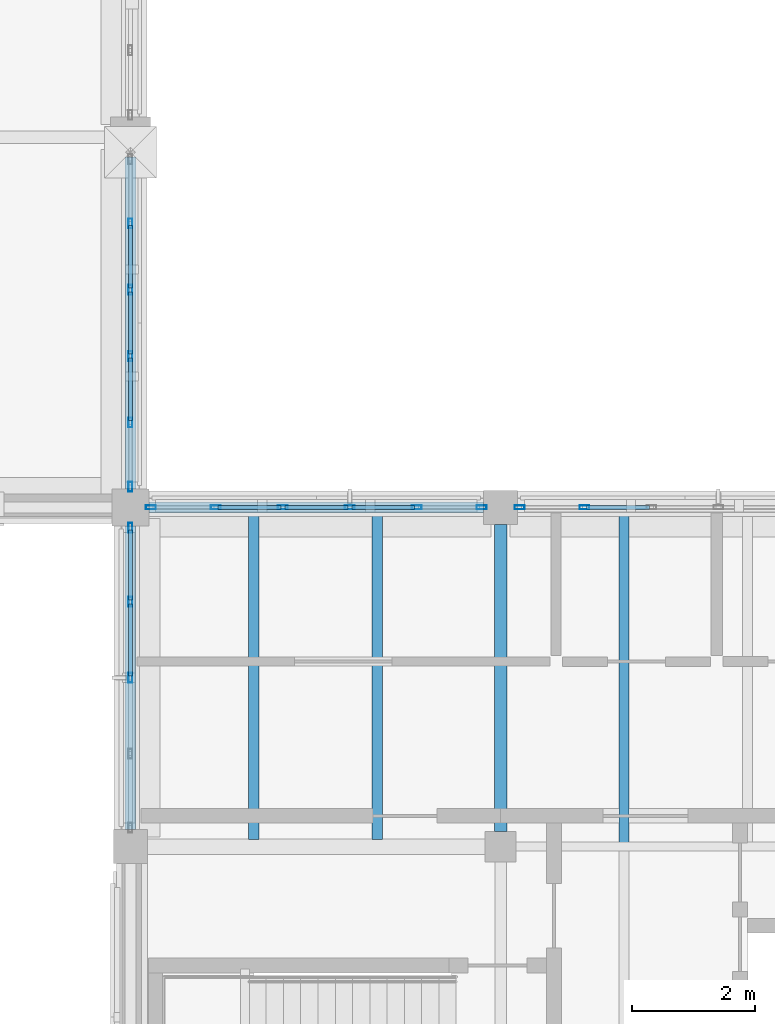
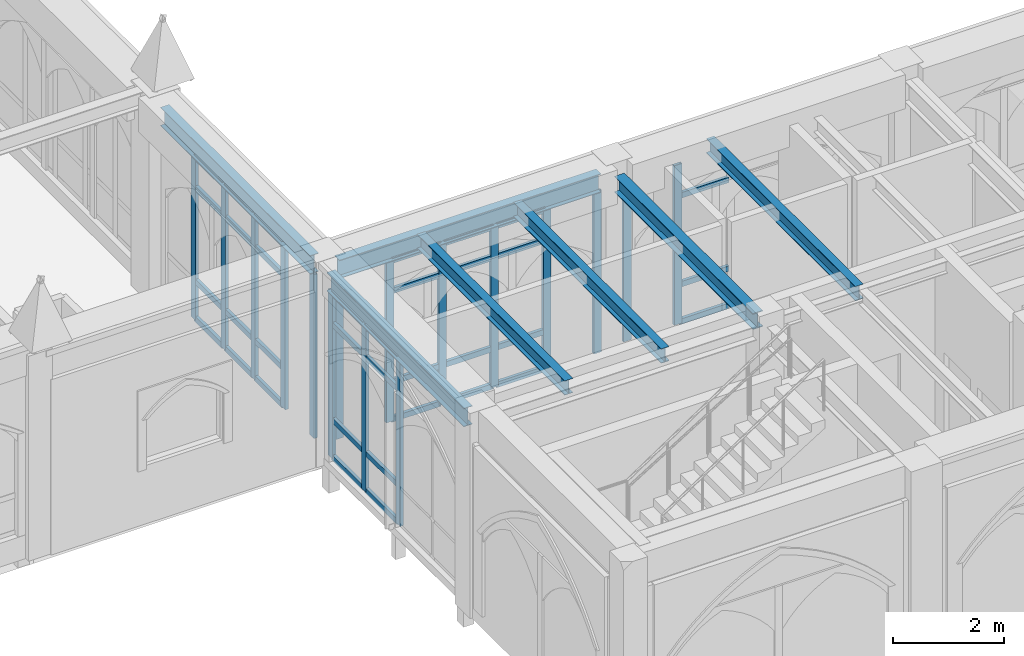
# One storey, part 6 of 127: 51 members, 7 beams, 4 elements without a shape of their own.
"""IFC4 building model written with IfcOpenShell, lengths in metres."""

from ifc_helpers import new_model, si_unit, direction, frame, origin, origin_2d, place, context, subcontext, project, spatial, hollow_rectangle, i_section, extrude, material, layer, layer_set, material_profile, profile_set, type_object, element, aggregate, save


model = new_model("IFC4")

# Units and contexts
model_context = context("Model", 3, precision=1e-05, world=origin(), true_north=direction((0.0, 1.0)))
body_context = subcontext(model_context, "Body", "Model", "MODEL_VIEW")
ifc_project = project(units=[si_unit("LENGTHUNIT", "METRE"), si_unit("AREAUNIT", "SQUARE_METRE"), si_unit("VOLUMEUNIT", "CUBIC_METRE"), si_unit("PLANEANGLEUNIT", "RADIAN"), si_unit("MASSUNIT", "GRAM", prefix="KILO")], contexts=[model_context])

# Site, building, storey
site_placement = place(None, origin())
site = spatial("IfcSite", under=ifc_project, at=site_placement, CompositionType="ELEMENT")
building_placement = place(site_placement, origin())
building = spatial("IfcBuilding", under=site, at=building_placement, Name="Cumevento Cable Car Station", CompositionType="ELEMENT")
storey_placement = place(building_placement, frame((0.0, 0.0, 4.5)))
storey = spatial("IfcBuildingStorey", under=building, at=storey_placement, Name="L02", CompositionType="ELEMENT", Elevation=4.5)

# Curtain wall, members
ifc_material_1 = material(Name="Anodised Bronze Aluminium AW-6063-T6", Category="aluminium")
ifc_layer_1 = layer(ifc_material_1, 0.172119140625)
ifc_layer_set_1 = layer_set([ifc_layer_1], Name="Anodised Bronze Aluminium AW-6063-T6")
curtain_wall_type_1 = type_object("IfcCurtainWallType", Name="Lancet Curtain Wall CW-03 1130", PredefinedType="NOTDEFINED", material=ifc_layer_set_1)
curtain_wall_1_placement = place(storey_placement, origin())
curtain_wall_1 = element("IfcCurtainWall", 1, at=curtain_wall_1_placement, inside=storey, type_object=curtain_wall_type_1, Name="Lancet Curtain Wall CW-03 L02 #18", PredefinedType="NOTDEFINED")
ifc_material_2 = material(Name="Anodised Bronze Aluminium AW-6063-T6", Category="aluminium")
ifc_material_profile_1 = material_profile(ifc_material_2, hollow_rectangle(XDim=0.06494140625, YDim=0.159912109375, WallThickness=0.00390625, at=origin_2d()), Name="ALUM65x160x4")
ifc_profile_set_1 = profile_set([ifc_material_profile_1], Name="Anodised Bronze Aluminium AW-6063-T6")
member_type_1 = type_object("IfcMemberType", Name="Curtain Mullion CWM-01 ALUM65x160x4", PredefinedType="MULLION", material=ifc_profile_set_1)
member_1_placement = place(storey_placement, frame((22.33251953125, 15.0, 0.260009765625), z_axis=(0.0, 0.0, 1.0), x_axis=(0.0, 1.0, 0.0)))
member_1 = element("IfcMember", 2, at=member_1_placement, type_object=member_type_1, Name="CW-03 mullion 1", PredefinedType="MULLION", context=body_context, shape_type="SweptSolid", body=[
    extrude(hollow_rectangle(XDim=0.06494140625, YDim=0.159912109375, WallThickness=0.00390625, at=origin_2d()), origin(), (0.0, 0.0, 1.0), 3.549072265625),
])
member_2_placement = place(storey_placement, frame((23.385009765625, 15.0, 0.260009765625), z_axis=(0.0, 0.0, 1.0), x_axis=(0.0, 1.0, 0.0)))
member_2 = element("IfcMember", 3, at=member_2_placement, type_object=member_type_1, Name="CW-03 mullion 2", PredefinedType="MULLION", context=body_context, shape_type="SweptSolid", body=[
    extrude(hollow_rectangle(XDim=0.06494140625, YDim=0.159912109375, WallThickness=0.00390625, at=origin_2d()), origin(), (0.0, 0.0, 1.0), 3.549072265625),
])
member_3_placement = place(storey_placement, frame((24.469970703125, 15.0, 0.260009765625), z_axis=(0.0, 0.0, 1.0), x_axis=(0.0, 1.0, 0.0)))
member_3 = element("IfcMember", 4, at=member_3_placement, type_object=member_type_1, Name="CW-03 mullion 3", PredefinedType="MULLION", context=body_context, shape_type="SweptSolid", body=[
    extrude(hollow_rectangle(XDim=0.06494140625, YDim=0.159912109375, WallThickness=0.00390625, at=origin_2d()), origin(), (0.0, 0.0, 1.0), 3.549072265625),
])
member_4_placement = place(storey_placement, frame((25.554931640625, 15.0, 0.260009765625), z_axis=(0.0, 0.0, 1.0), x_axis=(0.0, 1.0, 0.0)))
member_4 = element("IfcMember", 5, at=member_4_placement, type_object=member_type_1, Name="CW-03 mullion 4", PredefinedType="MULLION", context=body_context, shape_type="SweptSolid", body=[
    extrude(hollow_rectangle(XDim=0.06494140625, YDim=0.159912109375, WallThickness=0.00390625, at=origin_2d()), origin(), (0.0, 0.0, 1.0), 3.549072265625),
])
member_5_placement = place(storey_placement, frame((26.639892578125, 15.0, 0.260009765625), z_axis=(0.0, 0.0, 1.0), x_axis=(0.0, 1.0, 0.0)))
member_5 = element("IfcMember", 6, at=member_5_placement, type_object=member_type_1, Name="CW-03 mullion 5", PredefinedType="MULLION", context=body_context, shape_type="SweptSolid", body=[
    extrude(hollow_rectangle(XDim=0.06494140625, YDim=0.159912109375, WallThickness=0.00390625, at=origin_2d()), origin(), (0.0, 0.0, 1.0), 3.549072265625),
])
member_6_placement = place(storey_placement, frame((27.6923828125, 15.0, 0.260009765625), z_axis=(0.0, 0.0, 1.0), x_axis=(0.0, 1.0, 0.0)))
member_6 = element("IfcMember", 7, at=member_6_placement, type_object=member_type_1, Name="CW-03 mullion 6", PredefinedType="MULLION", context=body_context, shape_type="SweptSolid", body=[
    extrude(hollow_rectangle(XDim=0.06494140625, YDim=0.159912109375, WallThickness=0.00390625, at=origin_2d()), origin(), (0.0, 0.0, 1.0), 3.549072265625),
])

ifc_material_3 = material(Name="Anodised Bronze Aluminium AW-6063-T6", Category="aluminium")
ifc_layer_2 = layer(ifc_material_3, 0.177978515625)
ifc_layer_set_2 = layer_set([ifc_layer_2], Name="Anodised Bronze Aluminium AW-6063-T6")
curtain_wall_type_2 = type_object("IfcCurtainWallType", Name="Lancet Curtain Wall CW-04 1170", PredefinedType="NOTDEFINED", material=ifc_layer_set_2)
curtain_wall_2_placement = place(storey_placement, origin())
curtain_wall_2 = element("IfcCurtainWall", 8, at=curtain_wall_2_placement, inside=storey, type_object=curtain_wall_type_2, Name="Lancet Curtain Wall CW-04 L02 #19", PredefinedType="NOTDEFINED")
member_7_placement = place(storey_placement, frame((28.3076171875, 15.0, 0.31005859375), z_axis=(0.0, 0.0, 1.0), x_axis=(0.0, 1.0, 0.0)))
member_7 = element("IfcMember", 9, at=member_7_placement, type_object=member_type_1, Name="CW-04 mullion 1", PredefinedType="MULLION", context=body_context, shape_type="SweptSolid", body=[
    extrude(hollow_rectangle(XDim=0.06494140625, YDim=0.159912109375, WallThickness=0.00390625, at=origin_2d()), origin(), (0.0, 0.0, 1.0), 3.4990234375),
])
member_8_placement = place(storey_placement, frame((29.360107421875, 15.0, 0.31005859375), z_axis=(0.0, 0.0, 1.0), x_axis=(0.0, 1.0, 0.0)))
member_8 = element("IfcMember", 10, at=member_8_placement, type_object=member_type_1, Name="CW-04 mullion 2", PredefinedType="MULLION", context=body_context, shape_type="SweptSolid", body=[
    extrude(hollow_rectangle(XDim=0.06494140625, YDim=0.159912109375, WallThickness=0.00390625, at=origin_2d()), origin(), (0.0, 0.0, 1.0), 3.4990234375),
])

ifc_material_4 = material(Name="Anodised Bronze Aluminium AW-6063-T6", Category="aluminium")
ifc_layer_3 = layer(ifc_material_4, 0.2080078125)
ifc_layer_set_3 = layer_set([ifc_layer_3], Name="Anodised Bronze Aluminium AW-6063-T6")
curtain_wall_type_3 = type_object("IfcCurtainWallType", Name="Lancet Curtain Wall CW-09 1370", PredefinedType="NOTDEFINED", material=ifc_layer_set_3)
curtain_wall_3_placement = place(storey_placement, origin())
curtain_wall_3 = element("IfcCurtainWall", 11, at=curtain_wall_3_placement, inside=storey, type_object=curtain_wall_type_3, Name="Lancet Curtain Wall CW-09 L02 #24", PredefinedType="NOTDEFINED")
member_9_placement = place(storey_placement, frame((22.0, 12.237548828125, 0.159912109375), z_axis=(0.0, 0.0, 1.0), x_axis=(-1.0, 0.0, 0.0)))
member_9 = element("IfcMember", 12, at=member_9_placement, type_object=member_type_1, Name="CW-09 mullion 3", PredefinedType="MULLION", context=body_context, shape_type="SweptSolid", body=[
    extrude(hollow_rectangle(XDim=0.06494140625, YDim=0.159912109375, WallThickness=0.00390625, at=origin_2d()), origin(), (0.0, 0.0, 1.0), 3.649169921875),
])
member_10_placement = place(storey_placement, frame((22.0, 13.46875, 0.159912109375), z_axis=(0.0, 0.0, 1.0), x_axis=(-1.0, 0.0, 0.0)))
member_10 = element("IfcMember", 13, at=member_10_placement, type_object=member_type_1, Name="CW-09 mullion 4", PredefinedType="MULLION", context=body_context, shape_type="SweptSolid", body=[
    extrude(hollow_rectangle(XDim=0.06494140625, YDim=0.159912109375, WallThickness=0.00390625, at=origin_2d()), origin(), (0.0, 0.0, 1.0), 3.649169921875),
])
member_11_placement = place(storey_placement, frame((22.0, 14.66748046875, 0.159912109375), z_axis=(0.0, 0.0, 1.0), x_axis=(-1.0, 0.0, 0.0)))
member_11 = element("IfcMember", 14, at=member_11_placement, type_object=member_type_1, Name="CW-09 mullion 5", PredefinedType="MULLION", context=body_context, shape_type="SweptSolid", body=[
    extrude(hollow_rectangle(XDim=0.06494140625, YDim=0.159912109375, WallThickness=0.00390625, at=origin_2d()), origin(), (0.0, 0.0, 1.0), 3.649169921875),
])

ifc_material_5 = material(Name="Anodised Bronze Aluminium AW-6063-T6", Category="aluminium")
ifc_layer_4 = layer(ifc_material_5, 0.166015625)
ifc_layer_set_4 = layer_set([ifc_layer_4], Name="Anodised Bronze Aluminium AW-6063-T6")
curtain_wall_type_4 = type_object("IfcCurtainWallType", Name="Lancet Curtain Wall CW-02 1090", PredefinedType="NOTDEFINED", material=ifc_layer_set_4)
curtain_wall_4_placement = place(storey_placement, origin())
curtain_wall_4 = element("IfcCurtainWall", 15, at=curtain_wall_4_placement, inside=storey, type_object=curtain_wall_type_4, Name="Lancet Curtain Wall CW-02 L02 #49", PredefinedType="NOTDEFINED")
member_12_placement = place(storey_placement, frame((22.0, 19.60009765625, 0.2099609375), z_axis=(0.0, 0.0, 1.0), x_axis=(1.0, 0.0, 0.0)))
member_12 = element("IfcMember", 16, at=member_12_placement, type_object=member_type_1, Name="CW-02 mullion 2", PredefinedType="MULLION", context=body_context, shape_type="SweptSolid", body=[
    extrude(hollow_rectangle(XDim=0.06494140625, YDim=0.159912109375, WallThickness=0.00390625, at=origin_2d()), origin(), (0.0, 0.0, 1.0), 3.59912109375),
])
member_13_placement = place(storey_placement, frame((22.0, 18.52490234375, 0.2099609375), z_axis=(0.0, 0.0, 1.0), x_axis=(1.0, 0.0, 0.0)))
member_13 = element("IfcMember", 17, at=member_13_placement, type_object=member_type_1, Name="CW-02 mullion 3", PredefinedType="MULLION", context=body_context, shape_type="SweptSolid", body=[
    extrude(hollow_rectangle(XDim=0.06494140625, YDim=0.159912109375, WallThickness=0.00390625, at=origin_2d()), origin(), (0.0, 0.0, 1.0), 3.59912109375),
])
member_14_placement = place(storey_placement, frame((22.0, 17.449951171875, 0.2099609375), z_axis=(0.0, 0.0, 1.0), x_axis=(1.0, 0.0, 0.0)))
member_14 = element("IfcMember", 18, at=member_14_placement, type_object=member_type_1, Name="CW-02 mullion 4", PredefinedType="MULLION", context=body_context, shape_type="SweptSolid", body=[
    extrude(hollow_rectangle(XDim=0.06494140625, YDim=0.159912109375, WallThickness=0.00390625, at=origin_2d()), origin(), (0.0, 0.0, 1.0), 3.59912109375),
])
member_15_placement = place(storey_placement, frame((22.0, 16.375, 0.2099609375), z_axis=(0.0, 0.0, 1.0), x_axis=(1.0, 0.0, 0.0)))
member_15 = element("IfcMember", 19, at=member_15_placement, type_object=member_type_1, Name="CW-02 mullion 5", PredefinedType="MULLION", context=body_context, shape_type="SweptSolid", body=[
    extrude(hollow_rectangle(XDim=0.06494140625, YDim=0.159912109375, WallThickness=0.00390625, at=origin_2d()), origin(), (0.0, 0.0, 1.0), 3.59912109375),
])
member_16_placement = place(storey_placement, frame((22.0, 15.33251953125, 0.2099609375), z_axis=(0.0, 0.0, 1.0), x_axis=(1.0, 0.0, 0.0)))
member_16 = element("IfcMember", 20, at=member_16_placement, type_object=member_type_1, Name="CW-02 mullion 6", PredefinedType="MULLION", context=body_context, shape_type="SweptSolid", body=[
    extrude(hollow_rectangle(XDim=0.06494140625, YDim=0.159912109375, WallThickness=0.00390625, at=origin_2d()), origin(), (0.0, 0.0, 1.0), 3.59912109375),
])

# Member
ifc_material_6 = material(Name="Anodised Bronze Aluminium AW-6063-T6", Category="aluminium")
ifc_material_profile_2 = material_profile(ifc_material_6, hollow_rectangle(XDim=0.06494140625, YDim=0.1201171875, WallThickness=0.00390625, at=origin_2d()), Name="ALUT65x120x4")
ifc_profile_set_2 = profile_set([ifc_material_profile_2], Name="Anodised Bronze Aluminium AW-6063-T6")
member_type_2 = type_object("IfcMemberType", Name="Curtain Transom CWT-01 ALUT65x120x4", PredefinedType="USERDEFINED", material=ifc_profile_set_2)
member_17_placement = place(storey_placement, frame((23.41748046875, 15.0, 0.29248046875), z_axis=(1.0, 0.0, 0.0), x_axis=(0.0, 1.0, 0.0)))
member_17 = element("IfcMember", 21, at=member_17_placement, type_object=member_type_2, Name="CW-03 transom 2.1", ObjectType="TRANSOM", PredefinedType="USERDEFINED", context=body_context, shape_type="SweptSolid", body=[
    extrude(hollow_rectangle(XDim=0.06494140625, YDim=0.1201171875, WallThickness=0.00390625, at=origin_2d()), origin(), (0.0, 0.0, 1.0), 1.02001953125),
])

member_18_placement = place(storey_placement, frame((23.41748046875, 15.0, 1.110107421875), z_axis=(1.0, 0.0, 0.0), x_axis=(0.0, 1.0, 0.0)))
member_18 = element("IfcMember", 22, at=member_18_placement, type_object=member_type_2, Name="CW-03 transom 2.2", ObjectType="TRANSOM", PredefinedType="USERDEFINED", context=body_context, shape_type="SweptSolid", body=[
    extrude(hollow_rectangle(XDim=0.06494140625, YDim=0.1201171875, WallThickness=0.00390625, at=origin_2d()), origin(), (0.0, 0.0, 1.0), 1.02001953125),
])

member_19_placement = place(storey_placement, frame((23.41748046875, 15.0, 3.10888671875), z_axis=(1.0, 0.0, 0.0), x_axis=(0.0, 1.0, 0.0)))
member_19 = element("IfcMember", 23, at=member_19_placement, type_object=member_type_2, Name="CW-03 transom 2.3", ObjectType="TRANSOM", PredefinedType="USERDEFINED", context=body_context, shape_type="SweptSolid", body=[
    extrude(hollow_rectangle(XDim=0.06494140625, YDim=0.1201171875, WallThickness=0.00390625, at=origin_2d()), origin(), (0.0, 0.0, 1.0), 1.02001953125),
])

member_20_placement = place(storey_placement, frame((23.41748046875, 15.0, 3.776611328125), z_axis=(1.0, 0.0, 0.0), x_axis=(0.0, 1.0, 0.0)))
member_20 = element("IfcMember", 24, at=member_20_placement, type_object=member_type_2, Name="CW-03 transom 2.4", ObjectType="TRANSOM", PredefinedType="USERDEFINED", context=body_context, shape_type="SweptSolid", body=[
    extrude(hollow_rectangle(XDim=0.06494140625, YDim=0.1201171875, WallThickness=0.00390625, at=origin_2d()), origin(), (0.0, 0.0, 1.0), 1.02001953125),
])

member_21_placement = place(storey_placement, frame((24.50244140625, 15.0, 0.29248046875), z_axis=(1.0, 0.0, 0.0), x_axis=(0.0, 1.0, 0.0)))
member_21 = element("IfcMember", 25, at=member_21_placement, type_object=member_type_2, Name="CW-03 transom 3.1", ObjectType="TRANSOM", PredefinedType="USERDEFINED", context=body_context, shape_type="SweptSolid", body=[
    extrude(hollow_rectangle(XDim=0.06494140625, YDim=0.1201171875, WallThickness=0.00390625, at=origin_2d()), origin(), (0.0, 0.0, 1.0), 1.02001953125),
])

member_22_placement = place(storey_placement, frame((24.50244140625, 15.0, 1.110107421875), z_axis=(1.0, 0.0, 0.0), x_axis=(0.0, 1.0, 0.0)))
member_22 = element("IfcMember", 26, at=member_22_placement, type_object=member_type_2, Name="CW-03 transom 3.2", ObjectType="TRANSOM", PredefinedType="USERDEFINED", context=body_context, shape_type="SweptSolid", body=[
    extrude(hollow_rectangle(XDim=0.06494140625, YDim=0.1201171875, WallThickness=0.00390625, at=origin_2d()), origin(), (0.0, 0.0, 1.0), 1.02001953125),
])

member_23_placement = place(storey_placement, frame((24.50244140625, 15.0, 3.10888671875), z_axis=(1.0, 0.0, 0.0), x_axis=(0.0, 1.0, 0.0)))
member_23 = element("IfcMember", 27, at=member_23_placement, type_object=member_type_2, Name="CW-03 transom 3.3", ObjectType="TRANSOM", PredefinedType="USERDEFINED", context=body_context, shape_type="SweptSolid", body=[
    extrude(hollow_rectangle(XDim=0.06494140625, YDim=0.1201171875, WallThickness=0.00390625, at=origin_2d()), origin(), (0.0, 0.0, 1.0), 1.02001953125),
])

member_24_placement = place(storey_placement, frame((24.50244140625, 15.0, 3.776611328125), z_axis=(1.0, 0.0, 0.0), x_axis=(0.0, 1.0, 0.0)))
member_24 = element("IfcMember", 28, at=member_24_placement, type_object=member_type_2, Name="CW-03 transom 3.4", ObjectType="TRANSOM", PredefinedType="USERDEFINED", context=body_context, shape_type="SweptSolid", body=[
    extrude(hollow_rectangle(XDim=0.06494140625, YDim=0.1201171875, WallThickness=0.00390625, at=origin_2d()), origin(), (0.0, 0.0, 1.0), 1.02001953125),
])

member_25_placement = place(storey_placement, frame((25.58740234375, 15.0, 0.29248046875), z_axis=(1.0, 0.0, 0.0), x_axis=(0.0, 1.0, 0.0)))
member_25 = element("IfcMember", 29, at=member_25_placement, type_object=member_type_2, Name="CW-03 transom 4.1", ObjectType="TRANSOM", PredefinedType="USERDEFINED", context=body_context, shape_type="SweptSolid", body=[
    extrude(hollow_rectangle(XDim=0.06494140625, YDim=0.1201171875, WallThickness=0.00390625, at=origin_2d()), origin(), (0.0, 0.0, 1.0), 1.02001953125),
])

member_26_placement = place(storey_placement, frame((25.58740234375, 15.0, 1.110107421875), z_axis=(1.0, 0.0, 0.0), x_axis=(0.0, 1.0, 0.0)))
member_26 = element("IfcMember", 30, at=member_26_placement, type_object=member_type_2, Name="CW-03 transom 4.2", ObjectType="TRANSOM", PredefinedType="USERDEFINED", context=body_context, shape_type="SweptSolid", body=[
    extrude(hollow_rectangle(XDim=0.06494140625, YDim=0.1201171875, WallThickness=0.00390625, at=origin_2d()), origin(), (0.0, 0.0, 1.0), 1.02001953125),
])

member_27_placement = place(storey_placement, frame((25.58740234375, 15.0, 3.10888671875), z_axis=(1.0, 0.0, 0.0), x_axis=(0.0, 1.0, 0.0)))
member_27 = element("IfcMember", 31, at=member_27_placement, type_object=member_type_2, Name="CW-03 transom 4.3", ObjectType="TRANSOM", PredefinedType="USERDEFINED", context=body_context, shape_type="SweptSolid", body=[
    extrude(hollow_rectangle(XDim=0.06494140625, YDim=0.1201171875, WallThickness=0.00390625, at=origin_2d()), origin(), (0.0, 0.0, 1.0), 1.02001953125),
])

member_28_placement = place(storey_placement, frame((25.58740234375, 15.0, 3.776611328125), z_axis=(1.0, 0.0, 0.0), x_axis=(0.0, 1.0, 0.0)))
member_28 = element("IfcMember", 32, at=member_28_placement, type_object=member_type_2, Name="CW-03 transom 4.4", ObjectType="TRANSOM", PredefinedType="USERDEFINED", context=body_context, shape_type="SweptSolid", body=[
    extrude(hollow_rectangle(XDim=0.06494140625, YDim=0.1201171875, WallThickness=0.00390625, at=origin_2d()), origin(), (0.0, 0.0, 1.0), 1.02001953125),
])

aggregate(curtain_wall_1, [member_1, member_2, member_3, member_4, member_5, member_6, member_17, member_18, member_19, member_20, member_21, member_22, member_23, member_24, member_25, member_26, member_27, member_28])

member_29_placement = place(storey_placement, frame((29.392578125, 15.0, 0.342529296875), z_axis=(1.0, 0.0, 0.0), x_axis=(0.0, 1.0, 0.0)))
member_29 = element("IfcMember", 33, at=member_29_placement, type_object=member_type_2, Name="CW-04 transom 2.1", ObjectType="TRANSOM", PredefinedType="USERDEFINED", context=body_context, shape_type="SweptSolid", body=[
    extrude(hollow_rectangle(XDim=0.06494140625, YDim=0.1201171875, WallThickness=0.00390625, at=origin_2d()), origin(), (0.0, 0.0, 1.0), 1.02001953125),
])

member_30_placement = place(storey_placement, frame((29.392578125, 15.0, 1.159912109375), z_axis=(1.0, 0.0, 0.0), x_axis=(0.0, 1.0, 0.0)))
member_30 = element("IfcMember", 34, at=member_30_placement, type_object=member_type_2, Name="CW-04 transom 2.2", ObjectType="TRANSOM", PredefinedType="USERDEFINED", context=body_context, shape_type="SweptSolid", body=[
    extrude(hollow_rectangle(XDim=0.06494140625, YDim=0.1201171875, WallThickness=0.00390625, at=origin_2d()), origin(), (0.0, 0.0, 1.0), 1.02001953125),
])

member_31_placement = place(storey_placement, frame((29.392578125, 15.0, 3.10888671875), z_axis=(1.0, 0.0, 0.0), x_axis=(0.0, 1.0, 0.0)))
member_31 = element("IfcMember", 35, at=member_31_placement, type_object=member_type_2, Name="CW-04 transom 2.3", ObjectType="TRANSOM", PredefinedType="USERDEFINED", context=body_context, shape_type="SweptSolid", body=[
    extrude(hollow_rectangle(XDim=0.06494140625, YDim=0.1201171875, WallThickness=0.00390625, at=origin_2d()), origin(), (0.0, 0.0, 1.0), 1.02001953125),
])

aggregate(curtain_wall_2, [member_7, member_8, member_29, member_30, member_31])

member_32_placement = place(storey_placement, frame((22.0, 12.27001953125, 0.1923828125), z_axis=(0.0, 1.0, 0.0), x_axis=(-1.0, 0.0, 0.0)))
member_32 = element("IfcMember", 36, at=member_32_placement, type_object=member_type_2, Name="CW-09 transom 3.1", ObjectType="TRANSOM", PredefinedType="USERDEFINED", context=body_context, shape_type="SweptSolid", body=[
    extrude(hollow_rectangle(XDim=0.06494140625, YDim=0.1201171875, WallThickness=0.00390625, at=origin_2d()), origin(), (0.0, 0.0, 1.0), 1.166259765625),
])

member_33_placement = place(storey_placement, frame((22.0, 12.27001953125, 1.010009765625), z_axis=(0.0, 1.0, 0.0), x_axis=(-1.0, 0.0, 0.0)))
member_33 = element("IfcMember", 37, at=member_33_placement, type_object=member_type_2, Name="CW-09 transom 3.2", ObjectType="TRANSOM", PredefinedType="USERDEFINED", context=body_context, shape_type="SweptSolid", body=[
    extrude(hollow_rectangle(XDim=0.06494140625, YDim=0.1201171875, WallThickness=0.00390625, at=origin_2d()), origin(), (0.0, 0.0, 1.0), 1.166259765625),
])

member_34_placement = place(storey_placement, frame((22.0, 12.27001953125, 3.10888671875), z_axis=(0.0, 1.0, 0.0), x_axis=(-1.0, 0.0, 0.0)))
member_34 = element("IfcMember", 38, at=member_34_placement, type_object=member_type_2, Name="CW-09 transom 3.3", ObjectType="TRANSOM", PredefinedType="USERDEFINED", context=body_context, shape_type="SweptSolid", body=[
    extrude(hollow_rectangle(XDim=0.06494140625, YDim=0.1201171875, WallThickness=0.00390625, at=origin_2d()), origin(), (0.0, 0.0, 1.0), 1.166259765625),
])

member_35_placement = place(storey_placement, frame((22.0, 12.27001953125, 3.776611328125), z_axis=(0.0, 1.0, 0.0), x_axis=(-1.0, 0.0, 0.0)))
member_35 = element("IfcMember", 39, at=member_35_placement, type_object=member_type_2, Name="CW-09 transom 3.4", ObjectType="TRANSOM", PredefinedType="USERDEFINED", context=body_context, shape_type="SweptSolid", body=[
    extrude(hollow_rectangle(XDim=0.06494140625, YDim=0.1201171875, WallThickness=0.00390625, at=origin_2d()), origin(), (0.0, 0.0, 1.0), 1.166259765625),
])

member_36_placement = place(storey_placement, frame((22.0, 13.501220703125, 0.1923828125), z_axis=(0.0, 1.0, 0.0), x_axis=(-1.0, 0.0, 0.0)))
member_36 = element("IfcMember", 40, at=member_36_placement, type_object=member_type_2, Name="CW-09 transom 4.1", ObjectType="TRANSOM", PredefinedType="USERDEFINED", context=body_context, shape_type="SweptSolid", body=[
    extrude(hollow_rectangle(XDim=0.06494140625, YDim=0.1201171875, WallThickness=0.00390625, at=origin_2d()), origin(), (0.0, 0.0, 1.0), 1.1337890625),
])

member_37_placement = place(storey_placement, frame((22.0, 13.501220703125, 1.010009765625), z_axis=(0.0, 1.0, 0.0), x_axis=(-1.0, 0.0, 0.0)))
member_37 = element("IfcMember", 41, at=member_37_placement, type_object=member_type_2, Name="CW-09 transom 4.2", ObjectType="TRANSOM", PredefinedType="USERDEFINED", context=body_context, shape_type="SweptSolid", body=[
    extrude(hollow_rectangle(XDim=0.06494140625, YDim=0.1201171875, WallThickness=0.00390625, at=origin_2d()), origin(), (0.0, 0.0, 1.0), 1.1337890625),
])

member_38_placement = place(storey_placement, frame((22.0, 13.501220703125, 3.10888671875), z_axis=(0.0, 1.0, 0.0), x_axis=(-1.0, 0.0, 0.0)))
member_38 = element("IfcMember", 42, at=member_38_placement, type_object=member_type_2, Name="CW-09 transom 4.3", ObjectType="TRANSOM", PredefinedType="USERDEFINED", context=body_context, shape_type="SweptSolid", body=[
    extrude(hollow_rectangle(XDim=0.06494140625, YDim=0.1201171875, WallThickness=0.00390625, at=origin_2d()), origin(), (0.0, 0.0, 1.0), 1.1337890625),
])

member_39_placement = place(storey_placement, frame((22.0, 13.501220703125, 3.776611328125), z_axis=(0.0, 1.0, 0.0), x_axis=(-1.0, 0.0, 0.0)))
member_39 = element("IfcMember", 43, at=member_39_placement, type_object=member_type_2, Name="CW-09 transom 4.4", ObjectType="TRANSOM", PredefinedType="USERDEFINED", context=body_context, shape_type="SweptSolid", body=[
    extrude(hollow_rectangle(XDim=0.06494140625, YDim=0.1201171875, WallThickness=0.00390625, at=origin_2d()), origin(), (0.0, 0.0, 1.0), 1.1337890625),
])

aggregate(curtain_wall_3, [member_9, member_10, member_11, member_32, member_33, member_34, member_35, member_36, member_37, member_38, member_39])

member_40_placement = place(storey_placement, frame((22.0, 19.5673828125, 0.242431640625), z_axis=(0.0, -1.0, 0.0), x_axis=(1.0, 0.0, 0.0)))
member_40 = element("IfcMember", 44, at=member_40_placement, type_object=member_type_2, Name="CW-02 transom 2.1", ObjectType="TRANSOM", PredefinedType="USERDEFINED", context=body_context, shape_type="SweptSolid", body=[
    extrude(hollow_rectangle(XDim=0.06494140625, YDim=0.1201171875, WallThickness=0.00390625, at=origin_2d()), origin(), (0.0, 0.0, 1.0), 1.009765625),
])

member_41_placement = place(storey_placement, frame((22.0, 19.5673828125, 1.06005859375), z_axis=(0.0, -1.0, 0.0), x_axis=(1.0, 0.0, 0.0)))
member_41 = element("IfcMember", 45, at=member_41_placement, type_object=member_type_2, Name="CW-02 transom 2.2", ObjectType="TRANSOM", PredefinedType="USERDEFINED", context=body_context, shape_type="SweptSolid", body=[
    extrude(hollow_rectangle(XDim=0.06494140625, YDim=0.1201171875, WallThickness=0.00390625, at=origin_2d()), origin(), (0.0, 0.0, 1.0), 1.009765625),
])

member_42_placement = place(storey_placement, frame((22.0, 19.5673828125, 3.10888671875), z_axis=(0.0, -1.0, 0.0), x_axis=(1.0, 0.0, 0.0)))
member_42 = element("IfcMember", 46, at=member_42_placement, type_object=member_type_2, Name="CW-02 transom 2.3", ObjectType="TRANSOM", PredefinedType="USERDEFINED", context=body_context, shape_type="SweptSolid", body=[
    extrude(hollow_rectangle(XDim=0.06494140625, YDim=0.1201171875, WallThickness=0.00390625, at=origin_2d()), origin(), (0.0, 0.0, 1.0), 1.009765625),
])

member_43_placement = place(storey_placement, frame((22.0, 19.5673828125, 3.776611328125), z_axis=(0.0, -1.0, 0.0), x_axis=(1.0, 0.0, 0.0)))
member_43 = element("IfcMember", 47, at=member_43_placement, type_object=member_type_2, Name="CW-02 transom 2.4", ObjectType="TRANSOM", PredefinedType="USERDEFINED", context=body_context, shape_type="SweptSolid", body=[
    extrude(hollow_rectangle(XDim=0.06494140625, YDim=0.1201171875, WallThickness=0.00390625, at=origin_2d()), origin(), (0.0, 0.0, 1.0), 1.009765625),
])

member_44_placement = place(storey_placement, frame((22.0, 18.492431640625, 0.242431640625), z_axis=(0.0, -1.0, 0.0), x_axis=(1.0, 0.0, 0.0)))
member_44 = element("IfcMember", 48, at=member_44_placement, type_object=member_type_2, Name="CW-02 transom 3.1", ObjectType="TRANSOM", PredefinedType="USERDEFINED", context=body_context, shape_type="SweptSolid", body=[
    extrude(hollow_rectangle(XDim=0.06494140625, YDim=0.1201171875, WallThickness=0.00390625, at=origin_2d()), origin(), (0.0, 0.0, 1.0), 1.010009765625),
])

member_45_placement = place(storey_placement, frame((22.0, 18.492431640625, 1.06005859375), z_axis=(0.0, -1.0, 0.0), x_axis=(1.0, 0.0, 0.0)))
member_45 = element("IfcMember", 49, at=member_45_placement, type_object=member_type_2, Name="CW-02 transom 3.2", ObjectType="TRANSOM", PredefinedType="USERDEFINED", context=body_context, shape_type="SweptSolid", body=[
    extrude(hollow_rectangle(XDim=0.06494140625, YDim=0.1201171875, WallThickness=0.00390625, at=origin_2d()), origin(), (0.0, 0.0, 1.0), 1.010009765625),
])

member_46_placement = place(storey_placement, frame((22.0, 18.492431640625, 3.10888671875), z_axis=(0.0, -1.0, 0.0), x_axis=(1.0, 0.0, 0.0)))
member_46 = element("IfcMember", 50, at=member_46_placement, type_object=member_type_2, Name="CW-02 transom 3.3", ObjectType="TRANSOM", PredefinedType="USERDEFINED", context=body_context, shape_type="SweptSolid", body=[
    extrude(hollow_rectangle(XDim=0.06494140625, YDim=0.1201171875, WallThickness=0.00390625, at=origin_2d()), origin(), (0.0, 0.0, 1.0), 1.010009765625),
])

member_47_placement = place(storey_placement, frame((22.0, 18.492431640625, 3.776611328125), z_axis=(0.0, -1.0, 0.0), x_axis=(1.0, 0.0, 0.0)))
member_47 = element("IfcMember", 51, at=member_47_placement, type_object=member_type_2, Name="CW-02 transom 3.4", ObjectType="TRANSOM", PredefinedType="USERDEFINED", context=body_context, shape_type="SweptSolid", body=[
    extrude(hollow_rectangle(XDim=0.06494140625, YDim=0.1201171875, WallThickness=0.00390625, at=origin_2d()), origin(), (0.0, 0.0, 1.0), 1.010009765625),
])

member_48_placement = place(storey_placement, frame((22.0, 17.41748046875, 0.242431640625), z_axis=(0.0, -1.0, 0.0), x_axis=(1.0, 0.0, 0.0)))
member_48 = element("IfcMember", 52, at=member_48_placement, type_object=member_type_2, Name="CW-02 transom 4.1", ObjectType="TRANSOM", PredefinedType="USERDEFINED", context=body_context, shape_type="SweptSolid", body=[
    extrude(hollow_rectangle(XDim=0.06494140625, YDim=0.1201171875, WallThickness=0.00390625, at=origin_2d()), origin(), (0.0, 0.0, 1.0), 1.010009765625),
])

member_49_placement = place(storey_placement, frame((22.0, 17.41748046875, 1.06005859375), z_axis=(0.0, -1.0, 0.0), x_axis=(1.0, 0.0, 0.0)))
member_49 = element("IfcMember", 53, at=member_49_placement, type_object=member_type_2, Name="CW-02 transom 4.2", ObjectType="TRANSOM", PredefinedType="USERDEFINED", context=body_context, shape_type="SweptSolid", body=[
    extrude(hollow_rectangle(XDim=0.06494140625, YDim=0.1201171875, WallThickness=0.00390625, at=origin_2d()), origin(), (0.0, 0.0, 1.0), 1.010009765625),
])

member_50_placement = place(storey_placement, frame((22.0, 17.41748046875, 3.10888671875), z_axis=(0.0, -1.0, 0.0), x_axis=(1.0, 0.0, 0.0)))
member_50 = element("IfcMember", 54, at=member_50_placement, type_object=member_type_2, Name="CW-02 transom 4.3", ObjectType="TRANSOM", PredefinedType="USERDEFINED", context=body_context, shape_type="SweptSolid", body=[
    extrude(hollow_rectangle(XDim=0.06494140625, YDim=0.1201171875, WallThickness=0.00390625, at=origin_2d()), origin(), (0.0, 0.0, 1.0), 1.010009765625),
])

member_51_placement = place(storey_placement, frame((22.0, 17.41748046875, 3.776611328125), z_axis=(0.0, -1.0, 0.0), x_axis=(1.0, 0.0, 0.0)))
member_51 = element("IfcMember", 55, at=member_51_placement, type_object=member_type_2, Name="CW-02 transom 4.4", ObjectType="TRANSOM", PredefinedType="USERDEFINED", context=body_context, shape_type="SweptSolid", body=[
    extrude(hollow_rectangle(XDim=0.06494140625, YDim=0.1201171875, WallThickness=0.00390625, at=origin_2d()), origin(), (0.0, 0.0, 1.0), 1.010009765625),
])

aggregate(curtain_wall_4, [member_12, member_13, member_14, member_15, member_16, member_40, member_41, member_42, member_43, member_44, member_45, member_46, member_47, member_48, member_49, member_50, member_51])

# Beams
ifc_material_7 = material(Name="Steel ASTM A572 Grade 50", Category="steel")
ifc_material_profile_3 = material_profile(ifc_material_7, i_section(OverallWidth=0.205078125, OverallDepth=0.35400390625, WebThickness=0.009521484375, FlangeThickness=0.016845703125, at=origin_2d()), Name="W360x79.0")
ifc_profile_set_3 = profile_set([ifc_material_profile_3], Name="Steel ASTM A572 Grade 50")
beam_type_1 = type_object("IfcBeamType", Name="Structural Beam BM-05 W360x79.0", PredefinedType="BEAM", material=ifc_profile_set_3)
beam_1_placement = place(storey_placement, frame((28.0, 9.75, 4.0390625), z_axis=(0.0, 1.0, 0.0), x_axis=(-1.0, 0.0, 0.0)))
element("IfcBeam", 56, at=beam_1_placement, inside=storey, type_object=beam_type_1, Name="Beam BM-05 L02 #444", PredefinedType="BEAM", context=body_context, shape_type="SweptSolid", body=[
    extrude(i_section(OverallWidth=0.205078125, OverallDepth=0.35400390625, WebThickness=0.009521484375, FlangeThickness=0.016845703125, at=origin_2d()), origin(), (0.0, 0.0, 1.0), 4.97509765625),
])
ifc_material_8 = material(Name="Steel ASTM A572 Grade 50", Category="steel")
ifc_material_profile_4 = material_profile(ifc_material_8, i_section(OverallWidth=0.1669921875, OverallDepth=0.31689453125, WebThickness=0.007568359375, FlangeThickness=0.01318359375, at=origin_2d()), Name="W310x52.0")
ifc_profile_set_4 = profile_set([ifc_material_profile_4], Name="Steel ASTM A572 Grade 50")
beam_type_2 = type_object("IfcBeamType", Name="Structural Joist JS-02 W310x52.0", PredefinedType="JOIST", material=ifc_profile_set_4)
for number, where, z_axis, x_axis, name in (
    (57, (24.0, 9.614990234375, 4.0576171875), (0.0, 1.0, 0.0), (-1.0, 0.0, 0.0), "Composite Floor Joist JS-02 L02 #729"),
    (58, (26.0, 9.614990234375, 4.0576171875), (0.0, 1.0, 0.0), (-1.0, 0.0, 0.0), "Composite Floor Joist JS-02 L02 #730"),
):
    element("IfcBeam", number, at=place(storey_placement, frame(where, z_axis=z_axis, x_axis=x_axis)), inside=storey, type_object=beam_type_2, Name=name, PredefinedType="JOIST", context=body_context, shape_type="SweptSolid", body=[
        extrude(i_section(OverallWidth=0.1669921875, OverallDepth=0.31689453125, WebThickness=0.007568359375, FlangeThickness=0.01318359375, at=origin_2d()), origin(), (0.0, 0.0, 1.0), 5.30810546875),
    ])
beam_2_placement = place(storey_placement, frame((30.0, 9.56201171875, 4.0576171875), z_axis=(0.0, 1.0, 0.0), x_axis=(-1.0, 0.0, 0.0)))
element("IfcBeam", 59, at=beam_2_placement, inside=storey, type_object=beam_type_2, Name="Composite Floor Joist JS-02 L02 #732", PredefinedType="JOIST", context=body_context, shape_type="SweptSolid", body=[
    extrude(i_section(OverallWidth=0.1669921875, OverallDepth=0.31689453125, WebThickness=0.007568359375, FlangeThickness=0.01318359375, at=origin_2d()), origin(), (0.0, 0.0, 1.0), 5.361083984375),
])
ifc_material_9 = material(Name="Steel ASTM A572 Grade 50", Category="steel")
ifc_material_profile_5 = material_profile(ifc_material_9, i_section(OverallWidth=0.177978515625, OverallDepth=0.406982421875, WebThickness=0.0078125, FlangeThickness=0.0126953125, at=origin_2d()), Name="W410x60.0")
ifc_profile_set_5 = profile_set([ifc_material_profile_5], Name="Steel ASTM A572 Grade 50")
beam_type_3 = type_object("IfcBeamType", Name="Structural Spandrel SP-01 W410x60.0", PredefinedType="SPANDREL", material=ifc_profile_set_5)
beam_3_placement = place(storey_placement, frame((22.300048828125, 15.0, 4.012451171875), z_axis=(1.0, 0.0, 0.0), x_axis=(0.0, 1.0, 0.0)))
element("IfcBeam", 60, at=beam_3_placement, inside=storey, type_object=beam_type_3, Name="Beam SP-01 L02 #437", PredefinedType="SPANDREL", context=body_context, shape_type="SweptSolid", body=[
    extrude(i_section(OverallWidth=0.177978515625, OverallDepth=0.406982421875, WebThickness=0.0078125, FlangeThickness=0.0126953125, at=origin_2d()), origin(), (0.0, 0.0, 1.0), 5.425048828125),
])
beam_4_placement = place(storey_placement, frame((22.0, 9.77490234375, 4.012451171875), z_axis=(0.0, 1.0, 0.0), x_axis=(-1.0, 0.0, 0.0)))
element("IfcBeam", 61, at=beam_4_placement, inside=storey, type_object=beam_type_3, Name="Beam SP-01 L02 #442", PredefinedType="SPANDREL", context=body_context, shape_type="SweptSolid", body=[
    extrude(i_section(OverallWidth=0.177978515625, OverallDepth=0.406982421875, WebThickness=0.0078125, FlangeThickness=0.0126953125, at=origin_2d()), origin(), (0.0, 0.0, 1.0), 4.925048828125),
])
beam_5_placement = place(storey_placement, frame((22.0, 15.300048828125, 4.012451171875), z_axis=(0.0, 1.0, 0.0), x_axis=(-1.0, 0.0, 0.0)))
element("IfcBeam", 62, at=beam_5_placement, inside=storey, type_object=beam_type_3, Name="Beam SP-01 L02 #532", PredefinedType="SPANDREL", context=body_context, shape_type="SweptSolid", body=[
    extrude(i_section(OverallWidth=0.177978515625, OverallDepth=0.406982421875, WebThickness=0.0078125, FlangeThickness=0.0126953125, at=origin_2d()), origin(), (0.0, 0.0, 1.0), 5.375),
])

save(model, "model.ifc")
